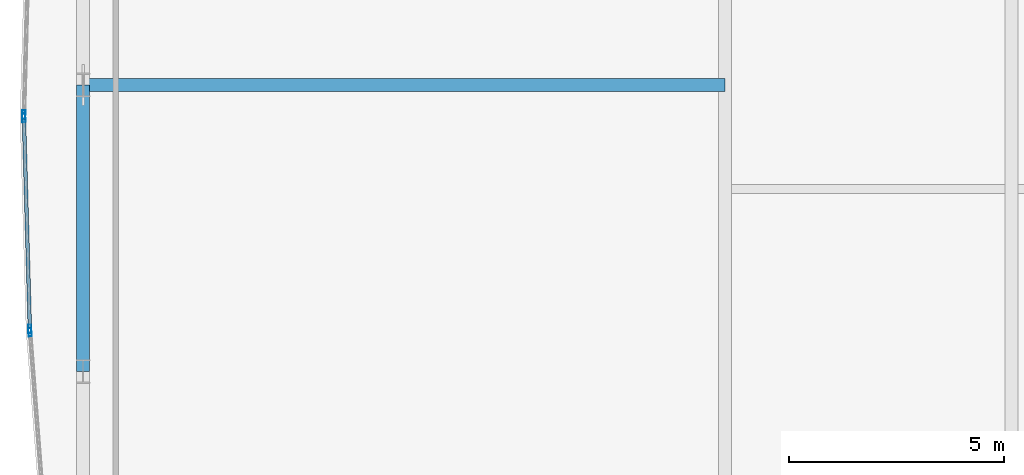
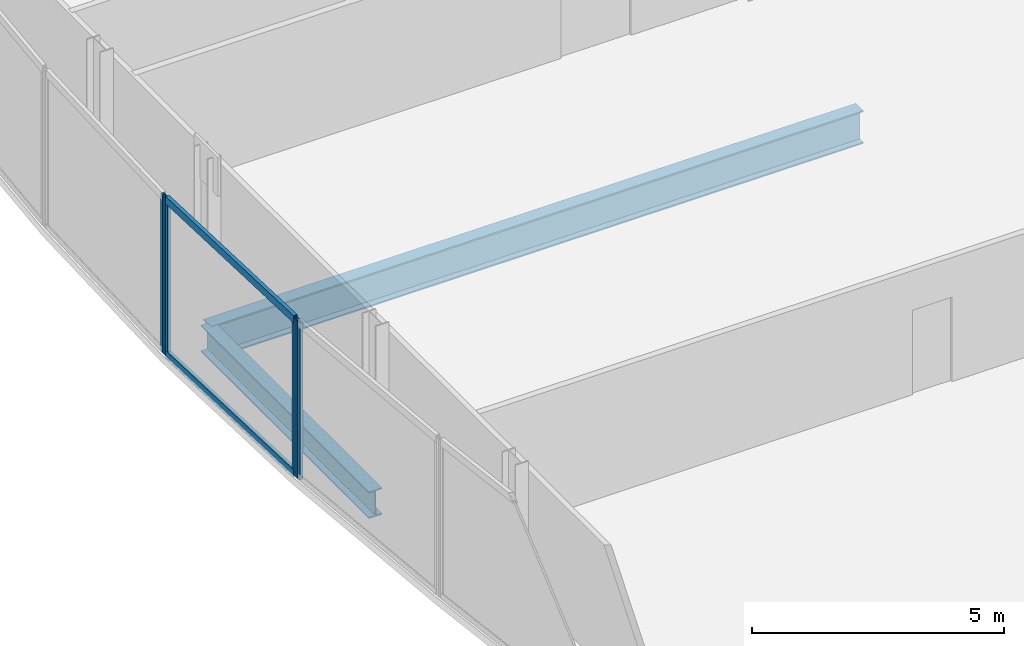
# One storey, part 10 of 30: 6 members, 2 beams, 3 elements without a shape of their own.
"""IFC4 building model written with IfcOpenShell, lengths in metres."""

import ifcopenshell
import ifcopenshell.guid

model = None  # the IFC model being written
_history = None  # IfcOwnerHistory: only IFC2X3 demands one
_inside = {}  # id of a spatial element -> (the spatial element, [elements in it])
_under = {}  # id of a project, library or spatial element -> (it, [spatial elements below it])
_declared = {}  # id of a project -> (the project, [libraries it declares])
_typed = {}  # id of a type object -> (the type object, [elements of that type])
_made_of = {}  # id of a material, layer set ... -> (it, [elements and type objects made of it])


def new_model(schema):
    """Start an empty IFC model of exactly this schema.

    Asked for "IFC4X3", IfcOpenShell would pick the latest addendum, in which some entities
    have other attributes; the version numbers below select the first issue.
    IFC2X3 requires an IfcOwnerHistory on every rooted entity: one is made here for all.
    """
    global model, _history
    if schema == "IFC4X3":
        model = ifcopenshell.file(schema_version=(4, 3, 0, 0))
    else:
        model = ifcopenshell.file(schema=schema)
    _inside.clear()
    _under.clear()
    _declared.clear()
    _typed.clear()
    _made_of.clear()
    _history = None
    if model.schema == "IFC2X3":
        org = make("IfcOrganization", Name="unknown")
        user = make(
            "IfcPersonAndOrganization",
            ThePerson=make("IfcPerson", FamilyName="unknown"),
            TheOrganization=org,
        )
        app = make(
            "IfcApplication",
            ApplicationDeveloper=org,
            Version="unknown",
            ApplicationFullName="unknown",
            ApplicationIdentifier="unknown",
        )
        _history = make(
            "IfcOwnerHistory",
            OwningUser=user,
            OwningApplication=app,
            ChangeAction="ADDED",
            CreationDate=0,
        )
    return model


def make(cls, **values):
    """One entity of the class cls with the attributes given. An attribute that is None is left unset."""
    return model.create_entity(
        cls, **{name: value for name, value in values.items() if value is not None}
    )


def rooted(cls, **values):
    """An entity with a GlobalId (a new one), such as an element, a storey or a relation."""
    return make(cls, GlobalId=ifcopenshell.guid.new(), OwnerHistory=_history, **values)


def si_unit(unit_type, name, prefix=None):
    """IfcSIUnit, for example si_unit("LENGTHUNIT", "METRE", prefix="MILLI")."""
    return make("IfcSIUnit", UnitType=unit_type, Prefix=prefix, Name=name)


def assignment(units):
    """IfcUnitAssignment: the units of a project."""
    return None if units is None else make("IfcUnitAssignment", Units=units)


def point(xyz):
    """IfcCartesianPoint."""
    return None if xyz is None else make("IfcCartesianPoint", Coordinates=xyz)


def direction(xyz):
    """IfcDirection."""
    return None if xyz is None else make("IfcDirection", DirectionRatios=xyz)


def frame(location, z_axis=None, x_axis=None):
    """IfcAxis2Placement3D, a coordinate frame: its origin and axes. An axis left out is left unset."""
    return make(
        "IfcAxis2Placement3D",
        Location=point(location),
        Axis=direction(z_axis),
        RefDirection=direction(x_axis),
    )


def frame_2d(location, x_axis=None):
    """IfcAxis2Placement2D, a coordinate frame in the plane: its origin and x axis."""
    return make(
        "IfcAxis2Placement2D", Location=point(location), RefDirection=direction(x_axis)
    )


def origin():
    """The frame at (0, 0, 0) with its axes left unset."""
    return frame((0.0, 0.0, 0.0))


def origin_2d():
    """The frame at (0, 0) in the plane with its x axis left unset."""
    return frame_2d((0.0, 0.0))


def place(relative_to, where):
    """IfcLocalPlacement: puts the frame where relative to a parent placement (None: the world)."""
    return make(
        "IfcLocalPlacement", PlacementRelTo=relative_to, RelativePlacement=where
    )


def context(
    kind, dimensions, precision=None, world=None, true_north=None, identifier=None
):
    """IfcGeometricRepresentationContext, for example the 3D "Model" context."""
    return make(
        "IfcGeometricRepresentationContext",
        ContextIdentifier=identifier,
        ContextType=kind,
        CoordinateSpaceDimension=dimensions,
        Precision=precision,
        WorldCoordinateSystem=world,
        TrueNorth=true_north,
    )


def subcontext(parent, identifier, kind, view, scale=None):
    """IfcGeometricRepresentationSubContext, for example "Body" below "Model"."""
    return make(
        "IfcGeometricRepresentationSubContext",
        ContextIdentifier=identifier,
        ContextType=kind,
        ParentContext=parent,
        TargetScale=scale,
        TargetView=view,
    )


def project(units=None, contexts=None):
    """IfcProject with its units and contexts."""
    return rooted(
        "IfcProject",
        Name="project",
        RepresentationContexts=contexts,
        UnitsInContext=assignment(units),
    )


def spatial(cls, under=None, at=None, **own):
    """A site, building, storey or space (cls), placed at a placement, below another one or the project."""
    s = rooted(cls, ObjectPlacement=at, **own)
    if under is not None:
        _under.setdefault(under.id(), (under, []))[1].append(s)
    return s


def profile(cls, at=None, kind="AREA", **sizes):
    """A parametric profile (cls). Its sizes go by their IFC names, for example OverallWidth=200.0."""
    return make(cls, ProfileType=kind, Position=at, **sizes)


def hollow_rectangle(**sizes):
    """IfcRectangleHollowProfileDef."""
    return profile("IfcRectangleHollowProfileDef", **sizes)


def i_section(**sizes):
    """IfcIShapeProfileDef."""
    return profile("IfcIShapeProfileDef", **sizes)


def extrude(swept, where, along, depth):
    """IfcExtrudedAreaSolid: the profile swept, set in the frame where, extruded along a direction by depth."""
    return make(
        "IfcExtrudedAreaSolid",
        SweptArea=swept,
        Position=where,
        ExtrudedDirection=direction(along),
        Depth=depth,
    )


def shape(context_of_items, identifier, shape_type, items):
    """IfcShapeRepresentation: the items that make up one representation, for example the "Body"."""
    return make(
        "IfcShapeRepresentation",
        ContextOfItems=context_of_items,
        RepresentationIdentifier=identifier,
        RepresentationType=shape_type,
        Items=items,
    )


def material(Name=None, Category=None):
    """IfcMaterial."""
    return make("IfcMaterial", Name=Name, Category=Category)


def material_profile(
    of_material, cross_section, Name=None, Category=None, Priority=None
):
    """IfcMaterialProfile: a cross section and its material."""
    return make(
        "IfcMaterialProfile",
        Name=Name,
        Material=of_material,
        Profile=cross_section,
        Priority=Priority,
        Category=Category,
    )


def profile_set(profiles, Name=None, composite=None):
    """IfcMaterialProfileSet."""
    return make(
        "IfcMaterialProfileSet",
        Name=Name,
        MaterialProfiles=profiles,
        CompositeProfile=composite,
    )


def made_of(thing, what):
    """Note that an element or type object is made of a material, layer set ...; save() writes the relation."""
    if what is not None:
        _made_of.setdefault(what.id(), (what, []))[1].append(thing)
    return thing


def type_object(cls, material=None, **own):
    """A type object (cls), such as IfcWallType, which elements share."""
    return made_of(rooted(cls, **own), material)


def element(
    cls,
    number,
    at=None,
    inside=None,
    cuts=None,
    type_object=None,
    material=None,
    context=None,
    identifier="Body",
    shape_type=None,
    held_by="IfcProductDefinitionShape",
    body=None,
    shapes=None,
    **own,
):
    """One element of the class cls, such as IfcWall. Its Tag is "e" and its number.

    at: its placement. inside: the storey or other place that contains it. cuts: it is an
    opening in that element (IfcRelVoidsElement). A single representation is given by context,
    identifier, shape_type and body (its items); several are given by shapes. held_by: the class
    of the entity that holds the representations. save() writes the other relations.
    """
    e = rooted(cls, Tag="e%d" % number, ObjectPlacement=at, **own)
    if body is not None:
        shapes = [shape(context, identifier, shape_type, body)]
    if shapes is not None:
        e.Representation = make(held_by, Representations=shapes)
    if inside is not None:
        _inside.setdefault(inside.id(), (inside, []))[1].append(e)
    if cuts is not None:
        rooted(
            "IfcRelVoidsElement", RelatingBuildingElement=cuts, RelatedOpeningElement=e
        )
    if type_object is not None:
        _typed.setdefault(type_object.id(), (type_object, []))[1].append(e)
    return made_of(e, material)


def aggregate(whole, parts):
    """IfcRelAggregates: a whole, such as a stair, and the parts it consists of."""
    return rooted("IfcRelAggregates", RelatingObject=whole, RelatedObjects=parts)


def save(model, path):
    """Write the relations noted so far, then the file.

    IfcRelAggregates (storeys below a building ...), IfcRelContainedInSpatialStructure (elements
    in a storey), IfcRelDefinesByType, IfcRelAssociatesMaterial and IfcRelDeclares: one each for
    every whole, place, type object, material and project.
    """
    for whole, parts in _under.values():
        aggregate(whole, parts)
    for where, things in _inside.values():
        rooted(
            "IfcRelContainedInSpatialStructure",
            RelatedElements=things,
            RelatingStructure=where,
        )
    for kind, things in _typed.values():
        rooted("IfcRelDefinesByType", RelatedObjects=things, RelatingType=kind)
    for what, things in _made_of.values():
        rooted("IfcRelAssociatesMaterial", RelatedObjects=things, RelatingMaterial=what)
    for by, libraries in _declared.values():
        rooted("IfcRelDeclares", RelatingContext=by, RelatedDefinitions=libraries)
    model.write(path)


model = new_model("IFC4")

# Units and contexts
model_context = context("Model", 3, precision=1e-05, world=origin(), true_north=direction((0.0, 1.0)))
body_context = subcontext(model_context, "Body", "Model", "MODEL_VIEW")
ifc_project = project(units=[si_unit("LENGTHUNIT", "METRE"), si_unit("AREAUNIT", "SQUARE_METRE"), si_unit("VOLUMEUNIT", "CUBIC_METRE"), si_unit("PLANEANGLEUNIT", "RADIAN"), si_unit("MASSUNIT", "GRAM", prefix="KILO")], contexts=[model_context])

# Site, building, storey
site_placement = place(None, origin())
site = spatial("IfcSite", under=ifc_project, at=site_placement, CompositionType="ELEMENT")
building_placement = place(site_placement, origin())
building = spatial("IfcBuilding", under=site, at=building_placement, Name="Khoronbel Lancet Exchange", CompositionType="ELEMENT")
storey_placement = place(building_placement, frame((0.0, 0.0, 90.60009765625)))
storey = spatial("IfcBuildingStorey", under=building, at=storey_placement, Name="L21", CompositionType="ELEMENT", Elevation=90.60009765625)

# Beams
ifc_material_1 = material(Name="Steel S355", Category="steel")
ifc_material_profile_1 = material_profile(ifc_material_1, i_section(OverallWidth=0.300048828125, OverallDepth=0.800048828125, WebThickness=0.017578125, FlangeThickness=0.032958984375, at=origin_2d()), Name="HEB 800")
ifc_profile_set_1 = profile_set([ifc_material_profile_1], Name="Steel S355")
beam_type_1 = type_object("IfcBeamType", Name="BM-BG2", PredefinedType="BEAM", material=ifc_profile_set_1)
beam_1_placement = place(storey_placement, frame((3.27001953125, 31.425048828125, -0.580078125), z_axis=(1.0, 0.0, 0.0), x_axis=(0.0, 1.0, 0.0)))
element("IfcBeam", 1, at=beam_1_placement, inside=storey, type_object=beam_type_1, Name="Level L21 west lens tie girder LG2W", PredefinedType="BEAM", context=body_context, shape_type="SweptSolid", body=[
    extrude(i_section(OverallWidth=0.300048828125, OverallDepth=0.800048828125, WebThickness=0.017578125, FlangeThickness=0.032958984375, at=origin_2d()), origin(), (0.0, 0.0, 1.0), 14.955078125),
])
ifc_material_profile_2 = material_profile(ifc_material_1, i_section(OverallWidth=0.300048828125, OverallDepth=0.64990234375, WebThickness=0.01611328125, FlangeThickness=0.031005859375, at=origin_2d()), Name="HEB 650")
ifc_profile_set_2 = profile_set([ifc_material_profile_2], Name="Steel S355")
beam_type_2 = type_object("IfcBeamType", Name="BM-BSP1", PredefinedType="SPANDREL", material=ifc_profile_set_2)
beam_2_placement = place(storey_placement, frame((3.27001953125, 31.425048828125, -0.505126953125), z_axis=(0.0, -1.0, 0.0), x_axis=(1.0, 0.0, 0.0)))
element("IfcBeam", 2, at=beam_2_placement, inside=storey, type_object=beam_type_2, Name="Level L21 perimeter spandrel beam SP19", PredefinedType="SPANDREL", context=body_context, shape_type="SweptSolid", body=[
    extrude(i_section(OverallWidth=0.300048828125, OverallDepth=0.64990234375, WebThickness=0.01611328125, FlangeThickness=0.031005859375, at=origin_2d()), origin(), (0.0, 0.0, 1.0), 6.675048828125),
])

# Curtain wall, member
ifc_material_2 = material(Name="Low-E Solar Control Insulating Glass", Category="glass")
curtain_wall_type = type_object("IfcCurtainWallType", Name="CW-4", PredefinedType="NOTDEFINED", material=ifc_material_2)
curtain_wall_1_placement = place(storey_placement, origin())
curtain_wall_1 = element("IfcCurtainWall", 3, at=curtain_wall_1_placement, inside=storey, type_object=curtain_wall_type, Name="Unitised curtain wall CW-L21-E05", PredefinedType="NOTDEFINED")
ifc_material_3 = material(Name="Bronze-Anodised Aluminium 6063-T6", Category="aluminium")
ifc_material_profile_3 = material_profile(ifc_material_3, hollow_rectangle(XDim=0.074951171875, YDim=0.199951171875, WallThickness=0.0048828125, at=origin_2d()), Name="ALU MULLION 75x200")
ifc_profile_set_3 = profile_set([ifc_material_profile_3], Name="Bronze-Anodised Aluminium 6063-T6")
member_type_1 = type_object("IfcMemberType", Name="MEM-CWM2", PredefinedType="MULLION", material=ifc_profile_set_3)
member_1_placement = place(storey_placement, frame((2.033447265625, 25.667236328125, 0.0), z_axis=(0.0, 0.0, 1.0), x_axis=(-0.997059882555, -0.076626304874, 0.0)))
member_1 = element("IfcMember", 4, at=member_1_placement, type_object=member_type_1, Name="CW4 mullion 2", PredefinedType="MULLION", context=body_context, shape_type="SweptSolid", body=[
    extrude(hollow_rectangle(XDim=0.074951171875, YDim=0.199951171875, WallThickness=0.0048828125, at=origin_2d()), origin(), (0.0, 0.0, 1.0), 3.81982421875),
])
aggregate(curtain_wall_1, [member_1])

# Curtain wall, members
curtain_wall_2_placement = place(storey_placement, origin())
curtain_wall_2 = element("IfcCurtainWall", 5, at=curtain_wall_2_placement, inside=storey, type_object=curtain_wall_type, Name="Unitised curtain wall CW-L21-E06", PredefinedType="NOTDEFINED")
member_2_placement = place(storey_placement, frame((2.029541015625, 25.7421875, 0.0), z_axis=(0.0, 0.0, 1.0), x_axis=(-0.999604123662, -0.028135315146, 0.0)))
member_2 = element("IfcMember", 6, at=member_2_placement, type_object=member_type_1, Name="CW4 mullion 1", PredefinedType="MULLION", context=body_context, shape_type="SweptSolid", body=[
    extrude(hollow_rectangle(XDim=0.074951171875, YDim=0.199951171875, WallThickness=0.0048828125, at=origin_2d()), origin(), (0.0, 0.0, 1.0), 3.81982421875),
])
member_3_placement = place(storey_placement, frame((1.89111328125, 30.66259765625, 0.0), z_axis=(0.0, 0.0, 1.0), x_axis=(-0.999604123662, -0.028135315146, 0.0)))
member_3 = element("IfcMember", 7, at=member_3_placement, type_object=member_type_1, Name="CW4 mullion 2", PredefinedType="MULLION", context=body_context, shape_type="SweptSolid", body=[
    extrude(hollow_rectangle(XDim=0.074951171875, YDim=0.199951171875, WallThickness=0.0048828125, at=origin_2d()), origin(), (0.0, 0.0, 1.0), 3.81982421875),
])

# Curtain wall, member
curtain_wall_3_placement = place(storey_placement, origin())
curtain_wall_3 = element("IfcCurtainWall", 8, at=curtain_wall_3_placement, inside=storey, type_object=curtain_wall_type, Name="Unitised curtain wall CW-L21-E07", PredefinedType="NOTDEFINED")
member_4_placement = place(storey_placement, frame((1.89111328125, 30.737548828125, 0.0), z_axis=(0.0, 0.0, 1.0), x_axis=(-0.999604123662, 0.028135315146, 0.0)))
member_4 = element("IfcMember", 9, at=member_4_placement, type_object=member_type_1, Name="CW4 mullion 1", PredefinedType="MULLION", context=body_context, shape_type="SweptSolid", body=[
    extrude(hollow_rectangle(XDim=0.074951171875, YDim=0.199951171875, WallThickness=0.0048828125, at=origin_2d()), origin(), (0.0, 0.0, 1.0), 3.81982421875),
])
aggregate(curtain_wall_3, [member_4])

# Member
ifc_material_profile_4 = material_profile(ifc_material_3, hollow_rectangle(XDim=0.0849609375, YDim=0.179931640625, WallThickness=0.0048828125, at=origin_2d()), Name="ALU TRANSOM 85x180")
ifc_profile_set_4 = profile_set([ifc_material_profile_4], Name="Bronze-Anodised Aluminium 6063-T6")
member_type_2 = type_object("IfcMemberType", Name="MEM-CWT1", PredefinedType="USERDEFINED", material=ifc_profile_set_4)
member_5_placement = place(storey_placement, frame((2.028564453125, 25.77978515625, 0.04248046875), z_axis=(-0.02815571823, 0.999603549179, 0.0), x_axis=(-0.999603549179, -0.02815571823, 0.0)))
member_5 = element("IfcMember", 10, at=member_5_placement, type_object=member_type_2, Name="CW4 transom 1.1", ObjectType="TRANSOM", PredefinedType="USERDEFINED", context=body_context, shape_type="SweptSolid", body=[
    extrude(hollow_rectangle(XDim=0.0849609375, YDim=0.179931640625, WallThickness=0.0048828125, at=origin_2d()), origin(), (0.0, 0.0, 1.0), 4.84716796875),
])

member_6_placement = place(storey_placement, frame((2.028564453125, 25.77978515625, 3.77734375), z_axis=(-0.02815571823, 0.999603549179, 0.0), x_axis=(-0.999603549179, -0.02815571823, 0.0)))
member_6 = element("IfcMember", 11, at=member_6_placement, type_object=member_type_2, Name="CW4 transom 1.2", ObjectType="TRANSOM", PredefinedType="USERDEFINED", context=body_context, shape_type="SweptSolid", body=[
    extrude(hollow_rectangle(XDim=0.0849609375, YDim=0.179931640625, WallThickness=0.0048828125, at=origin_2d()), origin(), (0.0, 0.0, 1.0), 4.84716796875),
])

aggregate(curtain_wall_2, [member_2, member_3, member_5, member_6])

save(model, "model.ifc")
